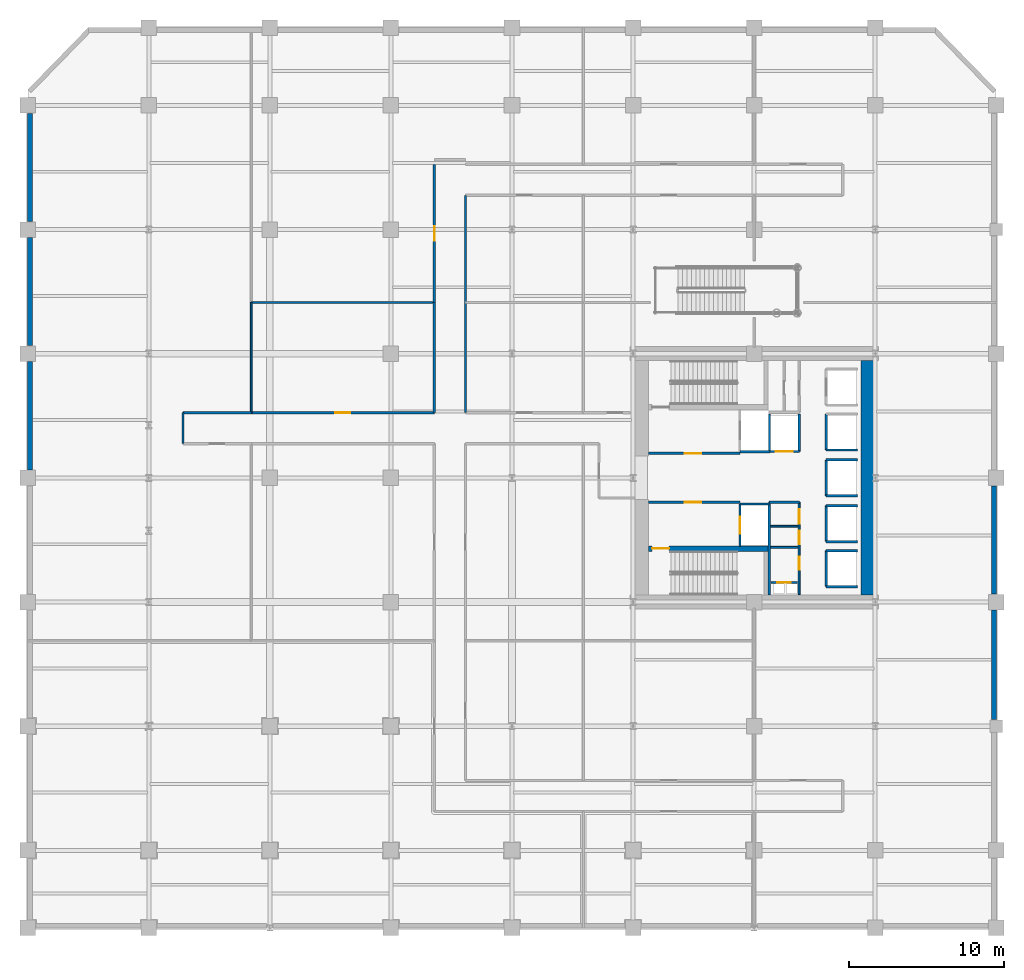
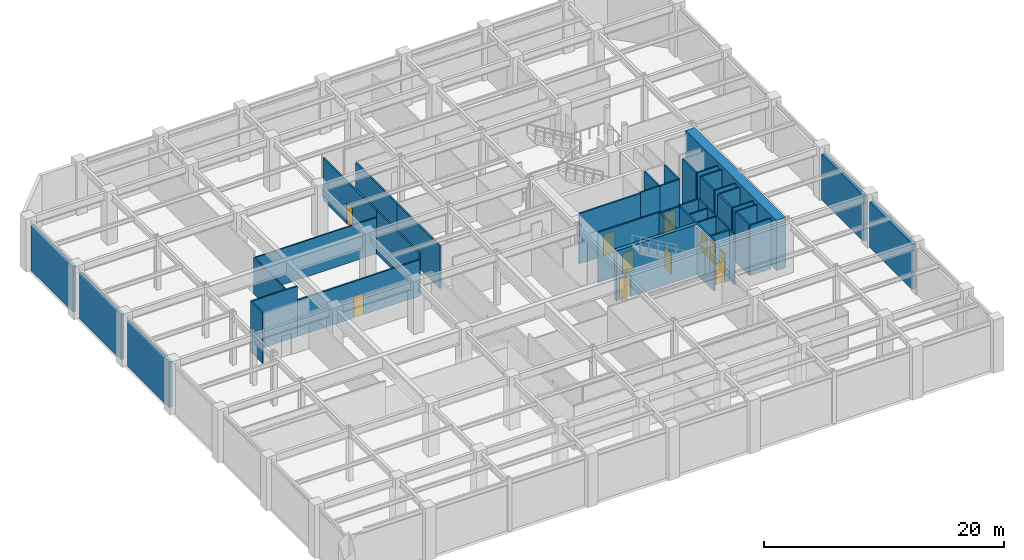
# One storey, part 8 of 12: 41 walls, 11 doors, 11 openings.
"""IFC4 building model written with IfcOpenShell, lengths in metres."""

from ifc_helpers import new_model, si_unit, direction, frame, frame_2d, origin, place, context, subcontext, project, spatial, rectangle, extrude, material, layer, layer_set, type_object, element, fill, save


model = new_model("IFC4")

# Units and contexts
model_context = context("Model", 3, precision=1e-05, world=origin(), true_north=direction((0.0, 1.0)))
body_context = subcontext(model_context, "Body", "Model", "MODEL_VIEW")
ifc_project = project(units=[si_unit("LENGTHUNIT", "METRE"), si_unit("AREAUNIT", "SQUARE_METRE"), si_unit("VOLUMEUNIT", "CUBIC_METRE"), si_unit("PLANEANGLEUNIT", "RADIAN"), si_unit("MASSUNIT", "GRAM", prefix="KILO")], contexts=[model_context])

# Site, building, storey
site_placement = place(None, origin())
site = spatial("IfcSite", under=ifc_project, at=site_placement, CompositionType="ELEMENT")
building_placement = place(site_placement, origin())
building = spatial("IfcBuilding", under=site, at=building_placement, Name="Veymaron Broadcast Tower", CompositionType="ELEMENT")
storey_placement = place(building_placement, frame((0.0, 0.0, 10.800048828125)))
storey = spatial("IfcBuildingStorey", under=building, at=storey_placement, Name="L02", CompositionType="ELEMENT", Elevation=10.800048828125)

# Walls
ifc_material_1 = material(Name="Precast concrete C40/50 with mineral-wool insulation", Category="concrete")
ifc_layer_1 = layer(ifc_material_1, 0.300048828125)
ifc_layer_set_1 = layer_set([ifc_layer_1], Name="Precast concrete C40/50 with mineral-wool insulation")
wall_type_1 = type_object("IfcWallType", Name="WALL-EXT-300", PredefinedType="STANDARD", material=ifc_layer_set_1)
wall_1_placement = place(storey_placement, frame((62.260009765625, 8.41796875, 0.0), z_axis=(0.0, 0.0, 1.0), x_axis=(0.0, 1.0, 0.0)))
element("IfcWall", 1, at=wall_1_placement, inside=storey, type_object=wall_type_1, Name="L02 notched corner facade pier 2-3", PredefinedType="STANDARD", context=body_context, shape_type="SweptSolid", body=[
    extrude(rectangle(XDim=7.06396484375, YDim=0.300048828125, at=frame_2d((3.531982421875, 0.0))), origin(), (0.0, 0.0, 1.0), 4.64794921875),
])
for number, where, z_axis, x_axis, name in (
    (2, (62.260009765625, 16.51806640625, 0.0), (0.0, 0.0, 1.0), (0.0, 1.0, 0.0), "L02 notched corner facade pier 2-4"),
    (3, (0.139892578125, 47.48193359375, 0.0), (0.0, 0.0, 1.0), (0.0, -1.0, 0.0), "L02 notched corner facade pier 6-1"),
    (4, (0.139892578125, 39.48193359375, 0.0), (0.0, 0.0, 1.0), (0.0, -1.0, 0.0), "L02 notched corner facade pier 6-2"),
    (5, (0.139892578125, 31.48193359375, 0.0), (0.0, 0.0, 1.0), (0.0, -1.0, 0.0), "L02 notched corner facade pier 6-3"),
):
    element("IfcWall", number, at=place(storey_placement, frame(where, z_axis=z_axis, x_axis=x_axis)), inside=storey, type_object=wall_type_1, Name=name, PredefinedType="STANDARD", context=body_context, shape_type="SweptSolid", body=[
        extrude(rectangle(XDim=6.9638671875, YDim=0.300048828125, at=frame_2d((3.48193359375, 0.0))), origin(), (0.0, 0.0, 1.0), 4.64794921875),
    ])

# Wall, opening, door
ifc_material_2 = material(Name="Gypsum fireboard and steel stud framing", Category="steel")
ifc_layer_2 = layer(ifc_material_2, 0.14990234375)
ifc_layer_set_2 = layer_set([ifc_layer_2], Name="Gypsum fireboard and steel stud framing")
wall_type_2 = type_object("IfcWallType", Name="WALL-FIRE-150", PredefinedType="PARTITIONING", material=ifc_layer_set_2)
wall_2_placement = place(storey_placement, frame((39.97998046875, 25.574951171875, 0.0), z_axis=(0.0, 0.0, 1.0), x_axis=(1.0, 0.0, 0.0)))
wall_2 = element("IfcWall", 6, at=wall_2_placement, inside=storey, type_object=wall_type_2, Name="L02 partition IW-L02-FFLN-S", PredefinedType="PARTITIONING", context=body_context, shape_type="SweptSolid", body=[
    extrude(rectangle(XDim=5.89990234375, YDim=0.14990234375, at=frame_2d((2.949951171875, 0.0))), origin(), (0.0, 0.0, 1.0), 5.119873046875),
])
opening_1_placement = place(wall_2_placement, frame((2.35009765625, 0.0, 0.0)))
opening_1 = element("IfcOpeningElement", 7, at=opening_1_placement, cuts=wall_2, Name="Opening ID-FL1", PredefinedType="OPENING", context=body_context, shape_type="SweptSolid", body=[
    extrude(rectangle(XDim=1.050048828125, YDim=2.14990234375, at=frame_2d((0.52490234375, 1.074951171875))), frame((0.0, 0.0849609375, 0.0), z_axis=(0.0, -1.0, 0.0), x_axis=(1.0, 0.0, 0.0)), (0.0, 0.0, 1.0), 0.169921875),
])
ifc_material_3 = material(Name="Fire-rated painted hollow steel ASTM A653", Category="steel")
door_type_1 = type_object("IfcDoorType", Name="DOOR-FIRE-1050", OperationType="NOTDEFINED", PredefinedType="DOOR", material=ifc_material_3)
door_1_placement = place(opening_1_placement, origin())
door_1 = element("IfcDoor", 8, at=door_1_placement, inside=storey, type_object=door_type_1, Name="L02 door DR-L02-FFLN", OperationType="SINGLE_SWING_LEFT", OverallHeight=2.14990234375, OverallWidth=1.050048828125, PredefinedType="DOOR", context=body_context, shape_type="SweptSolid", body=[
    extrude(rectangle(XDim=1.050048828125, YDim=2.14990234375, at=frame_2d((0.52490234375, 1.074951171875))), frame((0.0, 0.02490234375, 0.0), z_axis=(0.0, -1.0, 0.0), x_axis=(1.0, 0.0, 0.0)), (0.0, 0.0, 1.0), 0.050048828125),
])
fill(opening_1, door_1)

wall_3_placement = place(storey_placement, frame((39.97998046875, 22.425048828125, 0.0), z_axis=(0.0, 0.0, 1.0), x_axis=(1.0, 0.0, 0.0)))
wall_3 = element("IfcWall", 9, at=wall_3_placement, inside=storey, type_object=wall_type_2, Name="L02 partition IW-L02-FFLS-N", PredefinedType="PARTITIONING", context=body_context, shape_type="SweptSolid", body=[
    extrude(rectangle(XDim=5.89990234375, YDim=0.14990234375, at=frame_2d((2.949951171875, 0.0))), origin(), (0.0, 0.0, 1.0), 5.119873046875),
])
opening_2_placement = place(wall_3_placement, frame((2.35009765625, 0.0, 0.0)))
opening_2 = element("IfcOpeningElement", 10, at=opening_2_placement, cuts=wall_3, Name="Opening ID-FL1", PredefinedType="OPENING", context=body_context, shape_type="SweptSolid", body=[
    extrude(rectangle(XDim=1.050048828125, YDim=2.14990234375, at=frame_2d((0.52490234375, 1.074951171875))), frame((0.0, 0.0849609375, 0.0), z_axis=(0.0, -1.0, 0.0), x_axis=(1.0, 0.0, 0.0)), (0.0, 0.0, 1.0), 0.169921875),
])
door_2_placement = place(opening_2_placement, frame((1.050048828125, 0.0, 0.0), z_axis=(0.0, 0.0, 1.0), x_axis=(-1.0, 0.0, 0.0)))
door_2 = element("IfcDoor", 11, at=door_2_placement, inside=storey, type_object=door_type_1, Name="L02 door DR-L02-FFLS", OperationType="SINGLE_SWING_RIGHT", OverallHeight=2.14990234375, OverallWidth=1.050048828125, PredefinedType="DOOR", context=body_context, shape_type="SweptSolid", body=[
    extrude(rectangle(XDim=1.050048828125, YDim=2.14990234375, at=frame_2d((0.52490234375, 1.074951171875))), frame((0.0, 0.02490234375, 0.0), z_axis=(0.0, -1.0, 0.0), x_axis=(1.0, 0.0, 0.0)), (0.0, 0.0, 1.0), 0.050048828125),
])
fill(opening_2, door_2)

# Wall
wall_4_placement = place(storey_placement, frame((45.89501953125, 25.68994140625, 0.0), z_axis=(0.0, 0.0, 1.0), x_axis=(1.0, 0.0, 0.0)))
element("IfcWall", 12, at=wall_4_placement, inside=storey, type_object=wall_type_2, Name="L02 partition IW-L02-SHS-FFL-1", PredefinedType="PARTITIONING", context=body_context, shape_type="SweptSolid", body=[
    extrude(rectangle(XDim=1.9150390625, YDim=0.14990234375, at=frame_2d((0.95751953125, 0.0))), origin(), (0.0, 0.0, 1.0), 5.119873046875),
])

# Wall, opening, door
wall_5_placement = place(storey_placement, frame((45.89501953125, 19.590087890625, 0.0), z_axis=(0.0, 0.0, 1.0), x_axis=(0.0, 1.0, 0.0)))
wall_5 = element("IfcWall", 13, at=wall_5_placement, inside=storey, type_object=wall_type_2, Name="L02 partition IW-L02-SHW-FFL-2", PredefinedType="PARTITIONING", context=body_context, shape_type="SweptSolid", body=[
    extrude(rectangle(XDim=2.719970703125, YDim=0.14990234375, at=frame_2d((1.35986328125, 0.0))), origin(), (0.0, 0.0, 1.0), 5.119873046875),
])
opening_3_placement = place(wall_5_placement, frame((0.81005859375, 0.0, 0.0)))
opening_3 = element("IfcOpeningElement", 14, at=opening_3_placement, cuts=wall_5, Name="Opening LD", PredefinedType="OPENING", context=body_context, shape_type="SweptSolid", body=[
    extrude(rectangle(XDim=1.10009765625, YDim=2.14990234375, at=frame_2d((0.550048828125, 1.074951171875))), frame((0.0, 0.0849609375, 0.0), z_axis=(0.0, -1.0, 0.0), x_axis=(1.0, 0.0, 0.0)), (0.0, 0.0, 1.0), 0.169921875),
])
ifc_material_4 = material(Name="Brushed stainless steel AISI 304", Category="steel")
door_type_2 = type_object("IfcDoorType", Name="DOOR-LIFT-1100", OperationType="DOUBLE_DOOR_SLIDING", PredefinedType="DOOR", material=ifc_material_4)
door_3_placement = place(opening_3_placement, frame((1.10009765625, 0.0, 0.0), z_axis=(0.0, 0.0, 1.0), x_axis=(-1.0, 0.0, 0.0)))
door_3 = element("IfcDoor", 15, at=door_3_placement, inside=storey, type_object=door_type_2, Name="L02 door LD-L02-FFL-2", OperationType="DOUBLE_DOOR_SLIDING", OverallHeight=2.14990234375, OverallWidth=1.10009765625, PredefinedType="DOOR", context=body_context, shape_type="SweptSolid", body=[
    extrude(rectangle(XDim=1.10009765625, YDim=2.14990234375, at=frame_2d((0.550048828125, 1.074951171875))), frame((0.0, 0.02490234375, 0.0), z_axis=(0.0, -1.0, 0.0), x_axis=(1.0, 0.0, 0.0)), (0.0, 0.0, 1.0), 0.050048828125),
])
fill(opening_3, door_3)

# Wall
wall_6_placement = place(storey_placement, frame((45.89501953125, 22.31005859375, 0.0), z_axis=(0.0, 0.0, 1.0), x_axis=(1.0, 0.0, 0.0)))
element("IfcWall", 16, at=wall_6_placement, inside=storey, type_object=wall_type_2, Name="L02 partition IW-L02-SHN-FFL-2", PredefinedType="PARTITIONING", context=body_context, shape_type="SweptSolid", body=[
    extrude(rectangle(XDim=1.9150390625, YDim=0.14990234375, at=frame_2d((0.95751953125, 0.0))), origin(), (0.0, 0.0, 1.0), 5.119873046875),
])

# Wall, opening, door
wall_7_placement = place(storey_placement, frame((47.7900390625, 25.695068359375, 0.0), z_axis=(0.0, 0.0, 1.0), x_axis=(1.0, 0.0, 0.0)))
wall_7 = element("IfcWall", 17, at=wall_7_placement, inside=storey, type_object=wall_type_2, Name="L02 partition IW-L02-SHS-SL-1", PredefinedType="PARTITIONING", context=body_context, shape_type="SweptSolid", body=[
    extrude(rectangle(XDim=1.919921875, YDim=0.14990234375, at=frame_2d((0.9599609375, 0.0))), origin(), (0.0, 0.0, 1.0), 5.119873046875),
])
opening_4_placement = place(wall_7_placement, frame((0.409912109375, 0.0, 0.0)))
opening_4 = element("IfcOpeningElement", 18, at=opening_4_placement, cuts=wall_7, Name="Opening LD", PredefinedType="OPENING", context=body_context, shape_type="SweptSolid", body=[
    extrude(rectangle(XDim=1.10009765625, YDim=2.14990234375, at=frame_2d((0.550048828125, 1.074951171875))), frame((0.0, 0.0849609375, 0.0), z_axis=(0.0, -1.0, 0.0), x_axis=(1.0, 0.0, 0.0)), (0.0, 0.0, 1.0), 0.169921875),
])
door_4_placement = place(opening_4_placement, frame((1.10009765625, 0.0, 0.0), z_axis=(0.0, 0.0, 1.0), x_axis=(-1.0, 0.0, 0.0)))
door_4 = element("IfcDoor", 19, at=door_4_placement, inside=storey, type_object=door_type_2, Name="L02 door LD-L02-SL-1", OperationType="DOUBLE_DOOR_SLIDING", OverallHeight=2.14990234375, OverallWidth=1.10009765625, PredefinedType="DOOR", context=body_context, shape_type="SweptSolid", body=[
    extrude(rectangle(XDim=1.10009765625, YDim=2.14990234375, at=frame_2d((0.550048828125, 1.074951171875))), frame((0.0, 0.02490234375, 0.0), z_axis=(0.0, -1.0, 0.0), x_axis=(1.0, 0.0, 0.0)), (0.0, 0.0, 1.0), 0.050048828125),
])
fill(opening_4, door_4)

# Walls
for number, where, z_axis, x_axis, name in (
    (20, (47.7900390625, 25.695068359375, 0.0), (0.0, 0.0, 1.0), (0.0, 1.0, 0.0), "L02 partition IW-L02-SHW-SL-1"),
    (21, (49.7099609375, 25.695068359375, 0.0), (0.0, 0.0, 1.0), (0.0, 1.0, 0.0), "L02 partition IW-L02-SHE-SL-1"),
):
    element("IfcWall", number, at=place(storey_placement, frame(where, z_axis=z_axis, x_axis=x_axis)), inside=storey, type_object=wall_type_2, Name=name, PredefinedType="PARTITIONING", context=body_context, shape_type="SweptSolid", body=[
        extrude(rectangle(XDim=2.4150390625, YDim=0.14990234375, at=frame_2d((1.20751953125, 0.0))), origin(), (0.0, 0.0, 1.0), 5.119873046875),
    ])
wall_8_placement = place(storey_placement, frame((51.445068359375, 25.7900390625, 0.0), z_axis=(0.0, 0.0, 1.0), x_axis=(0.0, 1.0, 0.0)))
element("IfcWall", 22, at=wall_8_placement, inside=storey, type_object=wall_type_2, Name="L02 partition IW-L02-SHW-PM1", PredefinedType="PARTITIONING", context=body_context, shape_type="SweptSolid", body=[
    extrude(rectangle(XDim=2.320068359375, YDim=0.14990234375, at=frame_2d((1.16015625, 0.0))), origin(), (0.0, 0.0, 1.0), 5.119873046875),
])
wall_9_placement = place(storey_placement, frame((51.445068359375, 25.7900390625, 0.0), z_axis=(0.0, 0.0, 1.0), x_axis=(1.0, 0.0, 0.0)))
element("IfcWall", 23, at=wall_9_placement, inside=storey, type_object=wall_type_2, Name="L02 partition IW-L02-SHS-PM1", PredefinedType="PARTITIONING", context=body_context, shape_type="SweptSolid", body=[
    extrude(rectangle(XDim=2.014892578125, YDim=0.14990234375, at=frame_2d((1.00732421875, 0.0))), origin(), (0.0, 0.0, 1.0), 5.119873046875),
])
wall_10_placement = place(storey_placement, frame((51.445068359375, 19.889892578125, 0.0), z_axis=(0.0, 0.0, 1.0), x_axis=(0.0, 1.0, 0.0)))
element("IfcWall", 24, at=wall_10_placement, inside=storey, type_object=wall_type_2, Name="L02 partition IW-L02-SHW-PM2", PredefinedType="PARTITIONING", context=body_context, shape_type="SweptSolid", body=[
    extrude(rectangle(XDim=2.320068359375, YDim=0.14990234375, at=frame_2d((1.16015625, 0.0))), origin(), (0.0, 0.0, 1.0), 5.119873046875),
])
for number, where, z_axis, x_axis, name in (
    (25, (51.445068359375, 19.889892578125, 0.0), (0.0, 0.0, 1.0), (1.0, 0.0, 0.0), "L02 partition IW-L02-SHS-PM2"),
    (26, (51.445068359375, 22.2099609375, 0.0), (0.0, 0.0, 1.0), (1.0, 0.0, 0.0), "L02 partition IW-L02-SHN-PM2"),
):
    element("IfcWall", number, at=place(storey_placement, frame(where, z_axis=z_axis, x_axis=x_axis)), inside=storey, type_object=wall_type_2, Name=name, PredefinedType="PARTITIONING", context=body_context, shape_type="SweptSolid", body=[
        extrude(rectangle(XDim=2.014892578125, YDim=0.14990234375, at=frame_2d((1.00732421875, 0.0))), origin(), (0.0, 0.0, 1.0), 5.119873046875),
    ])
wall_11_placement = place(storey_placement, frame((51.445068359375, 22.840087890625, 0.0), z_axis=(0.0, 0.0, 1.0), x_axis=(0.0, 1.0, 0.0)))
element("IfcWall", 27, at=wall_11_placement, inside=storey, type_object=wall_type_2, Name="L02 partition IW-L02-SHW-PM3", PredefinedType="PARTITIONING", context=body_context, shape_type="SweptSolid", body=[
    extrude(rectangle(XDim=2.31982421875, YDim=0.14990234375, at=frame_2d((1.159912109375, 0.0))), origin(), (0.0, 0.0, 1.0), 5.119873046875),
])
for number, where, z_axis, x_axis, name in (
    (28, (51.445068359375, 22.840087890625, 0.0), (0.0, 0.0, 1.0), (1.0, 0.0, 0.0), "L02 partition IW-L02-SHS-PM3"),
    (29, (51.445068359375, 25.159912109375, 0.0), (0.0, 0.0, 1.0), (1.0, 0.0, 0.0), "L02 partition IW-L02-SHN-PM3"),
):
    element("IfcWall", number, at=place(storey_placement, frame(where, z_axis=z_axis, x_axis=x_axis)), inside=storey, type_object=wall_type_2, Name=name, PredefinedType="PARTITIONING", context=body_context, shape_type="SweptSolid", body=[
        extrude(rectangle(XDim=2.014892578125, YDim=0.14990234375, at=frame_2d((1.00732421875, 0.0))), origin(), (0.0, 0.0, 1.0), 5.119873046875),
    ])
wall_12_placement = place(storey_placement, frame((51.445068359375, 16.989990234375, 0.0), z_axis=(0.0, 0.0, 1.0), x_axis=(0.0, 1.0, 0.0)))
element("IfcWall", 30, at=wall_12_placement, inside=storey, type_object=wall_type_2, Name="L02 partition IW-L02-SHW-PH1", PredefinedType="PARTITIONING", context=body_context, shape_type="SweptSolid", body=[
    extrude(rectangle(XDim=2.320068359375, YDim=0.14990234375, at=frame_2d((1.16015625, 0.0))), origin(), (0.0, 0.0, 1.0), 5.119873046875),
])
for number, where, z_axis, x_axis, name in (
    (31, (51.445068359375, 16.989990234375, 0.0), (0.0, 0.0, 1.0), (1.0, 0.0, 0.0), "L02 partition IW-L02-SHS-PH1"),
    (32, (51.445068359375, 19.31005859375, 0.0), (0.0, 0.0, 1.0), (1.0, 0.0, 0.0), "L02 partition IW-L02-SHN-PH1"),
):
    element("IfcWall", number, at=place(storey_placement, frame(where, z_axis=z_axis, x_axis=x_axis)), inside=storey, type_object=wall_type_2, Name=name, PredefinedType="PARTITIONING", context=body_context, shape_type="SweptSolid", body=[
        extrude(rectangle(XDim=2.014892578125, YDim=0.14990234375, at=frame_2d((1.00732421875, 0.0))), origin(), (0.0, 0.0, 1.0), 5.119873046875),
    ])

# Wall, opening, door
wall_13_placement = place(storey_placement, frame((47.8798828125, 17.260009765625, 0.0), z_axis=(0.0, 0.0, 1.0), x_axis=(1.0, 0.0, 0.0)))
wall_13 = element("IfcWall", 33, at=wall_13_placement, inside=storey, type_object=wall_type_2, Name="L02 partition IW-L02-RIS-N", PredefinedType="PARTITIONING", context=body_context, shape_type="SweptSolid", body=[
    extrude(rectangle(XDim=1.72021484375, YDim=0.14990234375, at=frame_2d((0.860107421875, 0.0))), origin(), (0.0, 0.0, 1.0), 5.119873046875),
])
opening_5_placement = place(wall_13_placement, frame((0.419921875, 0.0, 0.0)))
opening_5 = element("IfcOpeningElement", 34, at=opening_5_placement, cuts=wall_13, Name="Opening ID-RS1", PredefinedType="OPENING", context=body_context, shape_type="SweptSolid", body=[
    extrude(rectangle(XDim=0.85009765625, YDim=2.14990234375, at=frame_2d((0.425048828125, 1.074951171875))), frame((0.0, 0.0849609375, 0.0), z_axis=(0.0, -1.0, 0.0), x_axis=(1.0, 0.0, 0.0)), (0.0, 0.0, 1.0), 0.169921875),
])
ifc_material_5 = material(Name="Fire-rated powder-coated steel riser leaf", Category="steel")
door_type_3 = type_object("IfcDoorType", Name="DOOR-RIS-850", OperationType="NOTDEFINED", PredefinedType="TRAPDOOR", material=ifc_material_5)
door_5_placement = place(opening_5_placement, origin())
door_5 = element("IfcDoor", 35, at=door_5_placement, inside=storey, type_object=door_type_3, Name="L02 door DR-L02-RIS", OperationType="SINGLE_SWING_LEFT", OverallHeight=2.14990234375, OverallWidth=0.85009765625, PredefinedType="TRAPDOOR", context=body_context, shape_type="SweptSolid", body=[
    extrude(rectangle(XDim=0.85009765625, YDim=2.14990234375, at=frame_2d((0.425048828125, 1.074951171875))), frame((0.0, 0.02490234375, 0.0), z_axis=(0.0, -1.0, 0.0), x_axis=(1.0, 0.0, 0.0)), (0.0, 0.0, 1.0), 0.050048828125),
])
fill(opening_5, door_5)

# Walls
wall_14_placement = place(storey_placement, frame((47.760009765625, 22.425048828125, 0.0), z_axis=(0.0, 0.0, 1.0), x_axis=(1.0, 0.0, 0.0)))
element("IfcWall", 36, at=wall_14_placement, inside=storey, type_object=wall_type_2, Name="L02 partition IW-L02-SM-N", PredefinedType="PARTITIONING", context=body_context, shape_type="SweptSolid", body=[
    extrude(rectangle(XDim=1.9599609375, YDim=0.14990234375, at=frame_2d((0.97998046875, 0.0))), origin(), (0.0, 0.0, 1.0), 5.119873046875),
])
wall_15_placement = place(storey_placement, frame((47.780029296875, 16.449951171875, 0.0), z_axis=(0.0, 0.0, 1.0), x_axis=(0.0, 1.0, 0.0)))
element("IfcWall", 37, at=wall_15_placement, inside=storey, type_object=wall_type_2, Name="L02 partition IW-L02-SM-W", PredefinedType="PARTITIONING", context=body_context, shape_type="SweptSolid", body=[
    extrude(rectangle(XDim=5.97509765625, YDim=0.14990234375, at=frame_2d((2.987548828125, 0.0))), origin(), (0.0, 0.0, 1.0), 5.119873046875),
])

# Wall, opening, door
wall_16_placement = place(storey_placement, frame((14.39990234375, 28.199951171875, 0.0), z_axis=(0.0, 0.0, 1.0), x_axis=(1.0, 0.0, 0.0)))
wall_16 = element("IfcWall", 38, at=wall_16_placement, inside=storey, type_object=wall_type_2, Name="L02 partition IW-L02-P17", PredefinedType="PARTITIONING", context=body_context, shape_type="SweptSolid", body=[
    extrude(rectangle(XDim=11.800048828125, YDim=0.14990234375, at=frame_2d((5.89990234375, 0.0))), origin(), (0.0, 0.0, 1.0), 3.68798828125),
])
opening_6_placement = place(wall_16_placement, frame((5.425048828125, 0.0, 0.0)))
opening_6 = element("IfcOpeningElement", 39, at=opening_6_placement, cuts=wall_16, Name="Opening ID-RM1", PredefinedType="OPENING", context=body_context, shape_type="SweptSolid", body=[
    extrude(rectangle(XDim=0.949951171875, YDim=2.14990234375, at=frame_2d((0.47509765625, 1.074951171875))), frame((0.0, 0.0849609375, 0.0), z_axis=(0.0, -1.0, 0.0), x_axis=(1.0, 0.0, 0.0)), (0.0, 0.0, 1.0), 0.169921875),
])
ifc_material_6 = material(Name="Acoustic solid-core European oak veneer timber", Category="wood")
door_type_4 = type_object("IfcDoorType", Name="DOOR-INT-950", OperationType="NOTDEFINED", PredefinedType="DOOR", material=ifc_material_6)
door_6_placement = place(opening_6_placement, origin())
door_6 = element("IfcDoor", 40, at=door_6_placement, inside=storey, type_object=door_type_4, Name="L02 door DR-L02-P17", OperationType="SINGLE_SWING_RIGHT", OverallHeight=2.14990234375, OverallWidth=0.949951171875, PredefinedType="DOOR", context=body_context, shape_type="SweptSolid", body=[
    extrude(rectangle(XDim=0.949951171875, YDim=2.14990234375, at=frame_2d((0.47509765625, 1.074951171875))), frame((0.0, 0.02490234375, 0.0), z_axis=(0.0, -1.0, 0.0), x_axis=(1.0, 0.0, 0.0)), (0.0, 0.0, 1.0), 0.050048828125),
])
fill(opening_6, door_6)

wall_17_placement = place(storey_placement, frame((26.199951171875, 35.300048828125, 0.0), z_axis=(0.0, 0.0, 1.0), x_axis=(0.0, 1.0, 0.0)))
wall_17 = element("IfcWall", 41, at=wall_17_placement, inside=storey, type_object=wall_type_2, Name="L02 partition IW-L02-P31", PredefinedType="PARTITIONING", context=body_context, shape_type="SweptSolid", body=[
    extrude(rectangle(XDim=8.89990234375, YDim=0.14990234375, at=frame_2d((4.449951171875, 0.0))), origin(), (0.0, 0.0, 1.0), 4.337890625),
])
opening_7_placement = place(wall_17_placement, frame((3.97509765625, 0.0, 0.0)))
opening_7 = element("IfcOpeningElement", 42, at=opening_7_placement, cuts=wall_17, Name="Opening ID-RM1", PredefinedType="OPENING", context=body_context, shape_type="SweptSolid", body=[
    extrude(rectangle(XDim=0.949951171875, YDim=2.14990234375, at=frame_2d((0.47509765625, 1.074951171875))), frame((0.0, 0.0849609375, 0.0), z_axis=(0.0, -1.0, 0.0), x_axis=(1.0, 0.0, 0.0)), (0.0, 0.0, 1.0), 0.169921875),
])
door_7_placement = place(opening_7_placement, origin())
door_7 = element("IfcDoor", 43, at=door_7_placement, inside=storey, type_object=door_type_4, Name="L02 door DR-L02-P31", OperationType="SINGLE_SWING_RIGHT", OverallHeight=2.14990234375, OverallWidth=0.949951171875, PredefinedType="DOOR", context=body_context, shape_type="SweptSolid", body=[
    extrude(rectangle(XDim=0.949951171875, YDim=2.14990234375, at=frame_2d((0.47509765625, 1.074951171875))), frame((0.0, 0.02490234375, 0.0), z_axis=(0.0, -1.0, 0.0), x_axis=(1.0, 0.0, 0.0)), (0.0, 0.0, 1.0), 0.050048828125),
])
fill(opening_7, door_7)

# Walls
for number, where, z_axis, x_axis, name in (
    (44, (26.199951171875, 28.199951171875, 0.0), (0.0, 0.0, 1.0), (0.0, 1.0, 0.0), "L02 partition IW-L02-P18"),
    (45, (28.199951171875, 28.199951171875, 0.0), (0.0, 0.0, 1.0), (0.0, 1.0, 0.0), "L02 partition IW-L02-P20"),
):
    element("IfcWall", number, at=place(storey_placement, frame(where, z_axis=z_axis, x_axis=x_axis)), inside=storey, type_object=wall_type_2, Name=name, PredefinedType="PARTITIONING", context=body_context, shape_type="SweptSolid", body=[
        extrude(rectangle(XDim=7.10009765625, YDim=0.14990234375, at=frame_2d((3.550048828125, 0.0))), origin(), (0.0, 0.0, 1.0), 4.337890625),
    ])
wall_18_placement = place(storey_placement, frame((10.0, 28.199951171875, 0.0), z_axis=(0.0, 0.0, 1.0), x_axis=(1.0, 0.0, 0.0)))
element("IfcWall", 46, at=wall_18_placement, inside=storey, type_object=wall_type_2, Name="L02 partition IW-L02-P23", PredefinedType="PARTITIONING", context=body_context, shape_type="SweptSolid", body=[
    extrude(rectangle(XDim=4.39990234375, YDim=0.14990234375, at=frame_2d((2.199951171875, 0.0))), origin(), (0.0, 0.0, 1.0), 5.119873046875),
])
wall_19_placement = place(storey_placement, frame((10.0, 26.199951171875, 0.0), z_axis=(0.0, 0.0, 1.0), x_axis=(0.0, 1.0, 0.0)))
element("IfcWall", 47, at=wall_19_placement, inside=storey, type_object=wall_type_2, Name="L02 partition IW-L02-P24", PredefinedType="PARTITIONING", context=body_context, shape_type="SweptSolid", body=[
    extrude(rectangle(XDim=2.0, YDim=0.14990234375, at=frame_2d((1.0, 0.0))), origin(), (0.0, 0.0, 1.0), 5.119873046875),
])
wall_20_placement = place(storey_placement, frame((28.199951171875, 35.300048828125, 0.0), z_axis=(0.0, 0.0, 1.0), x_axis=(0.0, 1.0, 0.0)))
element("IfcWall", 48, at=wall_20_placement, inside=storey, type_object=wall_type_2, Name="L02 partition IW-L02-P26", PredefinedType="PARTITIONING", context=body_context, shape_type="SweptSolid", body=[
    extrude(rectangle(XDim=6.89990234375, YDim=0.14990234375, at=frame_2d((3.449951171875, 0.0))), origin(), (0.0, 0.0, 1.0), 4.337890625),
])
ifc_material_7 = material(Name="Acoustic gypsum board and galvanized stud", Category="gypsum")
ifc_layer_3 = layer(ifc_material_7, 0.1201171875)
ifc_layer_set_3 = layer_set([ifc_layer_3], Name="Acoustic gypsum board and galvanized stud")
wall_type_3 = type_object("IfcWallType", Name="WALL-PART-120", PredefinedType="PARTITIONING", material=ifc_layer_set_3)
for number, where, z_axis, x_axis, name in (
    (49, (47.860107421875, 19.52001953125, 0.0), (0.0, 0.0, 1.0), (1.0, 0.0, 0.0), "L02 partition IW-L02-SM-D1"),
    (50, (47.860107421875, 20.8798828125, 0.0), (0.0, 0.0, 1.0), (1.0, 0.0, 0.0), "L02 partition IW-L02-SM-D2"),
):
    element("IfcWall", number, at=place(storey_placement, frame(where, z_axis=z_axis, x_axis=x_axis)), inside=storey, type_object=wall_type_3, Name=name, PredefinedType="PARTITIONING", context=body_context, shape_type="SweptSolid", body=[
        extrude(rectangle(XDim=1.760009765625, YDim=0.1201171875, at=frame_2d((0.8798828125, 0.0))), origin(), (0.0, 0.0, 1.0), 5.119873046875),
    ])

# Wall, openings, doors
wall_21_placement = place(storey_placement, frame((49.699951171875, 16.47998046875, 0.0), z_axis=(0.0, 0.0, 1.0), x_axis=(0.0, 1.0, 0.0)))
wall_21 = element("IfcWall", 51, at=wall_21_placement, inside=storey, type_object=wall_type_3, Name="L02 partition IW-L02-SM-E", PredefinedType="PARTITIONING", context=body_context, shape_type="SweptSolid", body=[
    extrude(rectangle(XDim=5.945068359375, YDim=0.1201171875, at=frame_2d((2.97265625, 0.0))), origin(), (0.0, 0.0, 1.0), 5.119873046875),
])
opening_8_placement = place(wall_21_placement, frame((1.60009765625, 0.0, 0.0)))
opening_8 = element("IfcOpeningElement", 52, at=opening_8_placement, cuts=wall_21, Name="Opening ID-WC1", PredefinedType="OPENING", context=body_context, shape_type="SweptSolid", body=[
    extrude(rectangle(XDim=0.85009765625, YDim=2.14990234375, at=frame_2d((0.425048828125, 1.074951171875))), frame((0.0, 0.070068359375, 0.0), z_axis=(0.0, -1.0, 0.0), x_axis=(1.0, 0.0, 0.0)), (0.0, 0.0, 1.0), 0.14013671875),
])
opening_9_placement = place(wall_21_placement, frame((3.25, 0.0, 0.0)))
opening_9 = element("IfcOpeningElement", 53, at=opening_9_placement, cuts=wall_21, Name="Opening ID-WC1", PredefinedType="OPENING", context=body_context, shape_type="SweptSolid", body=[
    extrude(rectangle(XDim=0.85009765625, YDim=2.14990234375, at=frame_2d((0.425048828125, 1.074951171875))), frame((0.0, 0.070068359375, 0.0), z_axis=(0.0, -1.0, 0.0), x_axis=(1.0, 0.0, 0.0)), (0.0, 0.0, 1.0), 0.14013671875),
])
opening_10_placement = place(wall_21_placement, frame((4.550048828125, 0.0, 0.0)))
opening_10 = element("IfcOpeningElement", 54, at=opening_10_placement, cuts=wall_21, Name="Opening ID-RM1", PredefinedType="OPENING", context=body_context, shape_type="SweptSolid", body=[
    extrude(rectangle(XDim=0.949951171875, YDim=2.14990234375, at=frame_2d((0.47509765625, 1.074951171875))), frame((0.0, 0.070068359375, 0.0), z_axis=(0.0, -1.0, 0.0), x_axis=(1.0, 0.0, 0.0)), (0.0, 0.0, 1.0), 0.14013671875),
])
ifc_material_8 = material(Name="Moisture-resistant high-pressure laminate timber", Category="wood")
door_type_5 = type_object("IfcDoorType", Name="DOOR-INT-850", OperationType="NOTDEFINED", PredefinedType="DOOR", material=ifc_material_8)
door_8_placement = place(opening_8_placement, frame((0.85009765625, 0.0, 0.0), z_axis=(0.0, 0.0, 1.0), x_axis=(-1.0, 0.0, 0.0)))
door_8 = element("IfcDoor", 55, at=door_8_placement, inside=storey, type_object=door_type_5, Name="L02 door DR-L02-JST", OperationType="SINGLE_SWING_LEFT", OverallHeight=2.14990234375, OverallWidth=0.85009765625, PredefinedType="DOOR", context=body_context, shape_type="SweptSolid", body=[
    extrude(rectangle(XDim=0.85009765625, YDim=2.14990234375, at=frame_2d((0.425048828125, 1.074951171875))), frame((0.0, 0.02490234375, 0.0), z_axis=(0.0, -1.0, 0.0), x_axis=(1.0, 0.0, 0.0)), (0.0, 0.0, 1.0), 0.050048828125),
])
fill(opening_8, door_8)
door_9_placement = place(opening_9_placement, frame((0.85009765625, 0.0, 0.0), z_axis=(0.0, 0.0, 1.0), x_axis=(-1.0, 0.0, 0.0)))
door_9 = element("IfcDoor", 56, at=door_9_placement, inside=storey, type_object=door_type_5, Name="L02 door DR-L02-SWC", OperationType="SINGLE_SWING_RIGHT", OverallHeight=2.14990234375, OverallWidth=0.85009765625, PredefinedType="DOOR", context=body_context, shape_type="SweptSolid", body=[
    extrude(rectangle(XDim=0.85009765625, YDim=2.14990234375, at=frame_2d((0.425048828125, 1.074951171875))), frame((0.0, 0.02490234375, 0.0), z_axis=(0.0, -1.0, 0.0), x_axis=(1.0, 0.0, 0.0)), (0.0, 0.0, 1.0), 0.050048828125),
])
fill(opening_9, door_9)
door_10_placement = place(opening_10_placement, frame((0.949951171875, 0.0, 0.0), z_axis=(0.0, 0.0, 1.0), x_axis=(-1.0, 0.0, 0.0)))
door_10 = element("IfcDoor", 57, at=door_10_placement, inside=storey, type_object=door_type_4, Name="L02 door DR-L02-AWC", OperationType="SINGLE_SWING_LEFT", OverallHeight=2.14990234375, OverallWidth=0.949951171875, PredefinedType="DOOR", context=body_context, shape_type="SweptSolid", body=[
    extrude(rectangle(XDim=0.949951171875, YDim=2.14990234375, at=frame_2d((0.47509765625, 1.074951171875))), frame((0.0, 0.02490234375, 0.0), z_axis=(0.0, -1.0, 0.0), x_axis=(1.0, 0.0, 0.0)), (0.0, 0.0, 1.0), 0.050048828125),
])
fill(opening_10, door_10)

# Walls
wall_22_placement = place(storey_placement, frame((14.39990234375, 28.199951171875, 0.0), z_axis=(0.0, 0.0, 1.0), x_axis=(0.0, 1.0, 0.0)))
element("IfcWall", 58, at=wall_22_placement, inside=storey, type_object=wall_type_3, Name="L02 partition IW-L02-P48", PredefinedType="PARTITIONING", context=body_context, shape_type="SweptSolid", body=[
    extrude(rectangle(XDim=7.10009765625, YDim=0.1201171875, at=frame_2d((3.550048828125, 0.0))), origin(), (0.0, 0.0, 1.0), 3.68798828125),
])
wall_23_placement = place(storey_placement, frame((14.39990234375, 35.300048828125, 0.0), z_axis=(0.0, 0.0, 1.0), x_axis=(1.0, 0.0, 0.0)))
element("IfcWall", 59, at=wall_23_placement, inside=storey, type_object=wall_type_3, Name="L02 partition IW-L02-P49", PredefinedType="PARTITIONING", context=body_context, shape_type="SweptSolid", body=[
    extrude(rectangle(XDim=11.800048828125, YDim=0.1201171875, at=frame_2d((5.89990234375, 0.0))), origin(), (0.0, 0.0, 1.0), 3.68798828125),
])

# Wall, opening, door
ifc_material_9 = material(Name="Concrete C50/60", Category="concrete")
ifc_layer_4 = layer(ifc_material_9, 0.35009765625)
ifc_layer_set_4 = layer_set([ifc_layer_4], Name="Concrete C50/60")
wall_type_4 = type_object("IfcWallType", Name="WALL-SHEAR-350", PredefinedType="SHEAR", material=ifc_layer_set_4)
wall_24_placement = place(storey_placement, frame((39.97998046875, 19.445068359375, 0.0), z_axis=(0.0, 0.0, 1.0), x_axis=(1.0, 0.0, 0.0)))
wall_24 = element("IfcWall", 60, at=wall_24_placement, inside=storey, type_object=wall_type_4, Name="L02 Core Wall south stair spine", PredefinedType="SHEAR", context=body_context, shape_type="SweptSolid", body=[
    extrude(rectangle(XDim=7.7099609375, YDim=0.35009765625, at=frame_2d((3.85498046875, 0.0))), origin(), (0.0, 0.0, 1.0), 5.119873046875),
])
opening_11_placement = place(wall_24_placement, frame((0.25, 0.0, 0.0)))
opening_11 = element("IfcOpeningElement", 61, at=opening_11_placement, cuts=wall_24, Name="Opening ID-ST1", PredefinedType="OPENING", context=body_context, shape_type="SweptSolid", body=[
    extrude(rectangle(XDim=1.10009765625, YDim=2.14990234375, at=frame_2d((0.550048828125, 1.074951171875))), frame((0.0, 0.18505859375, 0.0), z_axis=(0.0, -1.0, 0.0), x_axis=(1.0, 0.0, 0.0)), (0.0, 0.0, 1.0), 0.3701171875),
])
door_type_6 = type_object("IfcDoorType", Name="DOOR-STAIR-1100", OperationType="NOTDEFINED", PredefinedType="DOOR", material=ifc_material_3)
door_11_placement = place(opening_11_placement, frame((1.10009765625, 0.0, 0.0), z_axis=(0.0, 0.0, 1.0), x_axis=(-1.0, 0.0, 0.0)))
door_11 = element("IfcDoor", 62, at=door_11_placement, inside=storey, type_object=door_type_6, Name="L02 exit stair ST2 fire door", OperationType="SINGLE_SWING_RIGHT", OverallHeight=2.14990234375, OverallWidth=1.10009765625, PredefinedType="DOOR", context=body_context, shape_type="SweptSolid", body=[
    extrude(rectangle(XDim=1.10009765625, YDim=2.14990234375, at=frame_2d((0.550048828125, 1.074951171875))), frame((0.0, 0.02490234375, 0.0), z_axis=(0.0, -1.0, 0.0), x_axis=(1.0, 0.0, 0.0)), (0.0, 0.0, 1.0), 0.050048828125),
])
fill(opening_11, door_11)

# Wall
ifc_material_10 = material(Name="Concrete C70/85", Category="concrete")
ifc_layer_5 = layer(ifc_material_10, 0.89990234375)
ifc_layer_set_5 = layer_set([ifc_layer_5], Name="Concrete C70/85")
wall_type_5 = type_object("IfcWallType", Name="WALL-SHEAR-900", PredefinedType="SHEAR", material=ifc_layer_set_5)
wall_25_placement = place(storey_placement, frame((54.14990234375, 16.449951171875, 0.0), z_axis=(0.0, 0.0, 1.0), x_axis=(0.0, 1.0, 0.0)))
element("IfcWall", 63, at=wall_25_placement, inside=storey, type_object=wall_type_5, Name="L02 Core Wall east shear", PredefinedType="SHEAR", context=body_context, shape_type="SweptSolid", body=[
    extrude(rectangle(XDim=15.10009765625, YDim=0.89990234375, at=frame_2d((7.550048828125, 0.0))), origin(), (0.0, 0.0, 1.0), 5.119873046875),
])

save(model, "model.ifc")
